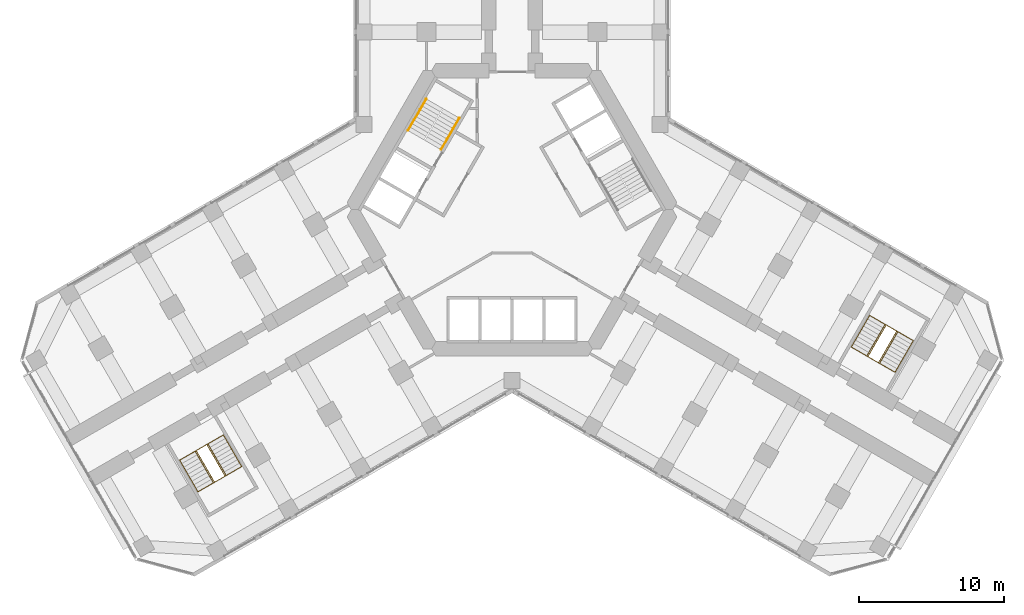
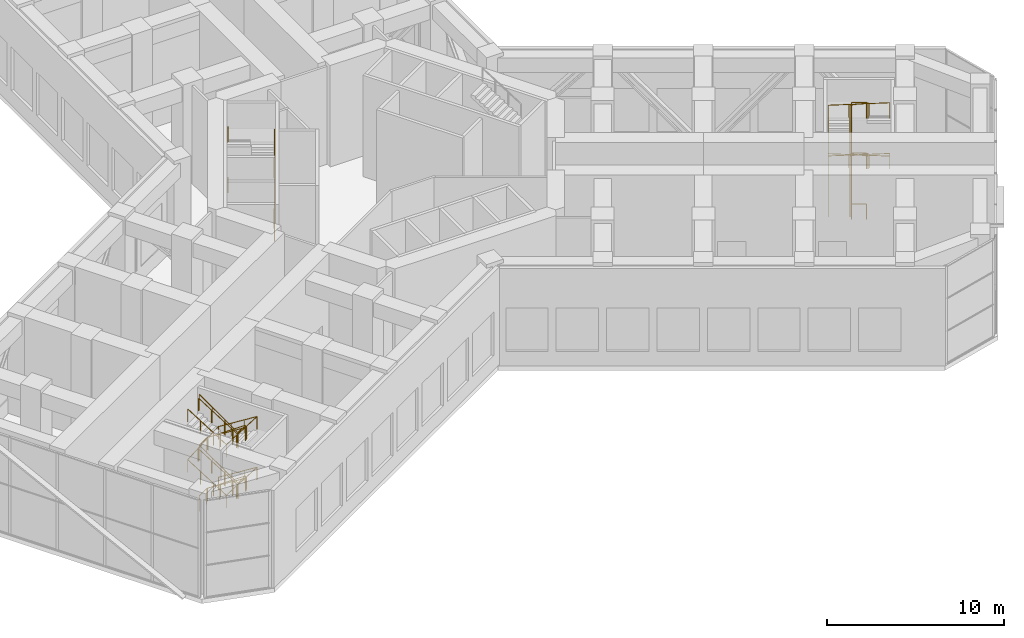
# One storey, part 16 of 17: 10 railings.
"""IFC4 building model written with IfcOpenShell, lengths in metres."""

from ifc_helpers import new_model, si_unit, direction, frame, origin, origin_2d, place, context, subcontext, project, spatial, circle, extrude, material, type_object, element, save


model = new_model("IFC4")

# Units and contexts
model_context = context("Model", 3, precision=1e-05, world=origin(), true_north=direction((0.0, 1.0)))
body_context = subcontext(model_context, "Body", "Model", "MODEL_VIEW")
ifc_project = project(units=[si_unit("LENGTHUNIT", "METRE"), si_unit("AREAUNIT", "SQUARE_METRE"), si_unit("VOLUMEUNIT", "CUBIC_METRE"), si_unit("PLANEANGLEUNIT", "RADIAN"), si_unit("MASSUNIT", "GRAM", prefix="KILO")], contexts=[model_context])

# Site, building, storey
site_placement = place(None, origin())
site = spatial("IfcSite", under=ifc_project, at=site_placement, CompositionType="ELEMENT")
building_placement = place(site_placement, origin())
building = spatial("IfcBuilding", under=site, at=building_placement, Name="Kosmar Iwan School Tower", CompositionType="ELEMENT")
storey_placement = place(building_placement, frame((0.0, 0.0, 32.39990234375)))
storey = spatial("IfcBuildingStorey", under=building, at=storey_placement, Name="L07", CompositionType="ELEMENT", Elevation=32.39990234375)

# Railings
ifc_material_1 = material(Name="Black steel", Category="steel")
railing_type_1 = type_object("IfcRailingType", Name="Stair handrail 900", PredefinedType="HANDRAIL", material=ifc_material_1)
railing_1_placement = place(storey_placement, frame((-4.89453125, 4.142333984375, 0.175048828125)))
element("IfcRailing", 1, at=railing_1_placement, inside=storey, type_object=railing_type_1, Name="Handrail ST2 flight 1", PredefinedType="HANDRAIL", context=body_context, shape_type="SweptSolid", body=[
    extrude(circle(Radius=0.02392578125, at=origin_2d()), frame((0.0, 0.0, 0.8759765625), z_axis=(0.42400668935, 0.73439174503, 0.529987822708), x_axis=(-0.866022637375, 0.500004791531, 0.0)), (0.0, 0.0, 1.0), 2.9716796875),
    extrude(circle(Radius=0.02099609375, at=origin_2d()), origin(), (0.0, 0.0, 1.0), 0.851806640625),
    extrude(circle(Radius=0.02099609375, at=origin_2d()), frame((0.419921875, 0.7275390625, 0.52490234375)), (0.0, 0.0, 1.0), 0.851806640625),
    extrude(circle(Radius=0.02099609375, at=origin_2d()), frame((0.840087890625, 1.454833984375, 1.050048828125)), (0.0, 0.0, 1.0), 0.851806640625),
    extrude(circle(Radius=0.02099609375, at=origin_2d()), frame((1.260009765625, 2.182373046875, 1.574951171875)), (0.0, 0.0, 1.0), 0.851806640625),
])
railing_2_placement = place(storey_placement, frame((-5.912353515625, 7.6396484375, 1.925048828125)))
element("IfcRailing", 2, at=railing_2_placement, inside=storey, type_object=railing_type_1, Name="Handrail ST2 flight 2", PredefinedType="HANDRAIL", context=body_context, shape_type="SweptSolid", body=[
    extrude(circle(Radius=0.02392578125, at=origin_2d()), frame((0.0, 0.0, 0.8759765625), z_axis=(-0.42400668935, -0.73439174503, 0.529987822708), x_axis=(0.866022637375, -0.500004791531, 0.0)), (0.0, 0.0, 1.0), 2.9716796875),
    extrude(circle(Radius=0.02099609375, at=origin_2d()), origin(), (0.0, 0.0, 1.0), 0.851806640625),
    extrude(circle(Radius=0.02099609375, at=origin_2d()), frame((-0.419921875, -0.7275390625, 0.52490234375)), (0.0, 0.0, 1.0), 0.851806640625),
    extrude(circle(Radius=0.02099609375, at=origin_2d()), frame((-0.840087890625, -1.454833984375, 1.050048828125)), (0.0, 0.0, 1.0), 0.851806640625),
    extrude(circle(Radius=0.02099609375, at=origin_2d()), frame((-1.260009765625, -2.182373046875, 1.574951171875)), (0.0, 0.0, 1.0), 0.851806640625),
])
railing_3_placement = place(storey_placement, frame((-4.89453125, 4.142333984375, 3.675048828125)))
element("IfcRailing", 3, at=railing_3_placement, inside=storey, type_object=railing_type_1, Name="Handrail ST2 flight 3", PredefinedType="HANDRAIL", context=body_context, shape_type="SweptSolid", body=[
    extrude(circle(Radius=0.02392578125, at=origin_2d()), frame((0.0, 0.0, 0.8759765625), z_axis=(0.42400668935, 0.73439174503, 0.529987822708), x_axis=(-0.866022637375, 0.500004791531, 0.0)), (0.0, 0.0, 1.0), 2.9716796875),
    extrude(circle(Radius=0.02099609375, at=origin_2d()), origin(), (0.0, 0.0, 1.0), 0.851806640625),
    extrude(circle(Radius=0.02099609375, at=origin_2d()), frame((0.419921875, 0.7275390625, 0.52490234375)), (0.0, 0.0, 1.0), 0.851806640625),
    extrude(circle(Radius=0.02099609375, at=origin_2d()), frame((0.840087890625, 1.454833984375, 1.050048828125)), (0.0, 0.0, 1.0), 0.851806640625),
    extrude(circle(Radius=0.02099609375, at=origin_2d()), frame((1.260009765625, 2.182373046875, 1.574951171875)), (0.0, 0.0, 1.0), 0.851806640625),
])
railing_4_placement = place(storey_placement, frame((-5.912353515625, 7.6396484375, 5.425048828125)))
element("IfcRailing", 4, at=railing_4_placement, inside=storey, type_object=railing_type_1, Name="Handrail ST2 flight 4", PredefinedType="HANDRAIL", context=body_context, shape_type="SweptSolid", body=[
    extrude(circle(Radius=0.02392578125, at=origin_2d()), frame((0.0, 0.0, 0.8759765625), z_axis=(-0.42400668935, -0.73439174503, 0.529987822708), x_axis=(0.866022637375, -0.500004791531, 0.0)), (0.0, 0.0, 1.0), 2.9716796875),
    extrude(circle(Radius=0.02099609375, at=origin_2d()), origin(), (0.0, 0.0, 1.0), 0.851806640625),
    extrude(circle(Radius=0.02099609375, at=origin_2d()), frame((-0.419921875, -0.7275390625, 0.52490234375)), (0.0, 0.0, 1.0), 0.851806640625),
    extrude(circle(Radius=0.02099609375, at=origin_2d()), frame((-0.840087890625, -1.454833984375, 1.050048828125)), (0.0, 0.0, 1.0), 0.851806640625),
    extrude(circle(Radius=0.02099609375, at=origin_2d()), frame((-1.260009765625, -2.182373046875, 1.574951171875)), (0.0, 0.0, 1.0), 0.851806640625),
])
railing_5_placement = place(storey_placement, frame((-19.9091796875, -15.5361328125, 0.175048828125)))
element("IfcRailing", 5, at=railing_5_placement, inside=storey, type_object=railing_type_1, Name="Handrail stair WS2 L07 wall side", PredefinedType="HANDRAIL", context=body_context, shape_type="SweptSolid", body=[
    extrude(circle(Radius=0.02392578125, at=origin_2d()), frame((0.0, 0.0, 0.8759765625), z_axis=(0.42393930004, -0.734417326174, 0.530006283829), x_axis=(0.866064587494, 0.499932125682, 0.0)), (0.0, 0.0, 1.0), 2.9716796875),
    extrude(circle(Radius=0.02392578125, at=origin_2d()), frame((1.259765625, -2.182373046875, 2.45068359375), z_axis=(-0.864926089001, -0.499378502617, 0.050239144995), x_axis=(0.500009906705, -0.86601968407, 0.0)), (0.0, 0.0, 1.0), 3.484375),
    extrude(circle(Radius=0.02392578125, at=origin_2d()), frame((-1.75390625, -3.92236328125, 2.6259765625), z_axis=(-0.42400668935, 0.73439174503, 0.529987822708), x_axis=(-0.866022637375, -0.500004791531, 0.0)), (0.0, 0.0, 1.0), 2.9716796875),
    extrude(circle(Radius=0.02392578125, at=origin_2d()), frame((-3.013916015625, -1.739990234375, 4.20068359375), z_axis=(0.864943737863, 0.499348239753, 0.050236100449), x_axis=(-0.499979528911, 0.866037222451, 0.0)), (0.0, 0.0, 1.0), 3.484619140625),
    extrude(circle(Radius=0.02392578125, at=origin_2d()), frame((0.0, 0.0, 4.3759765625), z_axis=(0.42393930004, -0.734417326174, 0.530006283829), x_axis=(0.866064587494, 0.499932125682, 0.0)), (0.0, 0.0, 1.0), 2.9716796875),
    extrude(circle(Radius=0.02392578125, at=origin_2d()), frame((1.259765625, -2.182373046875, 5.95068359375), z_axis=(-0.864926089001, -0.499378502617, 0.050239144995), x_axis=(0.500009906705, -0.86601968407, 0.0)), (0.0, 0.0, 1.0), 3.484375),
    extrude(circle(Radius=0.02392578125, at=origin_2d()), frame((-1.75390625, -3.92236328125, 6.1259765625), z_axis=(-0.42400668935, 0.73439174503, 0.529987822708), x_axis=(-0.866022637375, -0.500004791531, 0.0)), (0.0, 0.0, 1.0), 2.9716796875),
    extrude(circle(Radius=0.02099609375, at=origin_2d()), origin(), (0.0, 0.0, 1.0), 0.851806640625),
    extrude(circle(Radius=0.02099609375, at=origin_2d()), frame((0.419921875, -0.7275390625, 0.52490234375)), (0.0, 0.0, 1.0), 0.851806640625),
    extrude(circle(Radius=0.02099609375, at=origin_2d()), frame((0.83984375, -1.454833984375, 1.050048828125)), (0.0, 0.0, 1.0), 0.851806640625),
    extrude(circle(Radius=0.02099609375, at=origin_2d()), frame((1.259765625, -2.182373046875, 1.574951171875)), (0.0, 0.0, 1.0), 0.851806640625),
    extrude(circle(Radius=0.02099609375, at=origin_2d()), frame((0.255126953125, -2.762451171875, 1.63330078125)), (0.0, 0.0, 1.0), 0.851806640625),
    extrude(circle(Radius=0.02099609375, at=origin_2d()), frame((-0.749267578125, -3.34228515625, 1.691650390625)), (0.0, 0.0, 1.0), 0.851806640625),
    extrude(circle(Radius=0.02099609375, at=origin_2d()), frame((-1.75390625, -3.92236328125, 1.75)), (0.0, 0.0, 1.0), 0.851806640625),
    extrude(circle(Radius=0.02099609375, at=origin_2d()), frame((-2.173828125, -3.19482421875, 2.27490234375)), (0.0, 0.0, 1.0), 0.851806640625),
    extrude(circle(Radius=0.02099609375, at=origin_2d()), frame((-2.593994140625, -2.467529296875, 2.800048828125)), (0.0, 0.0, 1.0), 0.851806640625),
    extrude(circle(Radius=0.02099609375, at=origin_2d()), frame((-3.013916015625, -1.739990234375, 3.324951171875)), (0.0, 0.0, 1.0), 0.851806640625),
    extrude(circle(Radius=0.02099609375, at=origin_2d()), frame((-2.00927734375, -1.159912109375, 3.38330078125)), (0.0, 0.0, 1.0), 0.851806640625),
    extrude(circle(Radius=0.02099609375, at=origin_2d()), frame((-1.004638671875, -0.580078125, 3.441650390625)), (0.0, 0.0, 1.0), 0.851806640625),
    extrude(circle(Radius=0.02099609375, at=origin_2d()), frame((0.0, 0.0, 3.5)), (0.0, 0.0, 1.0), 0.851806640625),
    extrude(circle(Radius=0.02099609375, at=origin_2d()), frame((0.419921875, -0.7275390625, 4.02490234375)), (0.0, 0.0, 1.0), 0.851806640625),
    extrude(circle(Radius=0.02099609375, at=origin_2d()), frame((0.83984375, -1.454833984375, 4.550048828125)), (0.0, 0.0, 1.0), 0.851806640625),
    extrude(circle(Radius=0.02099609375, at=origin_2d()), frame((1.259765625, -2.182373046875, 5.074951171875)), (0.0, 0.0, 1.0), 0.851806640625),
    extrude(circle(Radius=0.02099609375, at=origin_2d()), frame((0.255126953125, -2.762451171875, 5.13330078125)), (0.0, 0.0, 1.0), 0.851806640625),
    extrude(circle(Radius=0.02099609375, at=origin_2d()), frame((-0.749267578125, -3.34228515625, 5.191650390625)), (0.0, 0.0, 1.0), 0.851806640625),
    extrude(circle(Radius=0.02099609375, at=origin_2d()), frame((-1.75390625, -3.92236328125, 5.25)), (0.0, 0.0, 1.0), 0.851806640625),
    extrude(circle(Radius=0.02099609375, at=origin_2d()), frame((-2.173828125, -3.19482421875, 5.77490234375)), (0.0, 0.0, 1.0), 0.851806640625),
    extrude(circle(Radius=0.02099609375, at=origin_2d()), frame((-2.593994140625, -2.467529296875, 6.300048828125)), (0.0, 0.0, 1.0), 0.851806640625),
    extrude(circle(Radius=0.02099609375, at=origin_2d()), frame((-3.013916015625, -1.739990234375, 6.824951171875)), (0.0, 0.0, 1.0), 0.851806640625),
])
railing_6_placement = place(storey_placement, frame((-20.974609375, -16.151123046875, 0.175048828125)))
element("IfcRailing", 6, at=railing_6_placement, inside=storey, type_object=railing_type_1, Name="Handrail stair WS2 L07 well side", PredefinedType="HANDRAIL", context=body_context, shape_type="SweptSolid", body=[
    extrude(circle(Radius=0.02392578125, at=origin_2d()), frame((0.0, 0.0, 0.8759765625), z_axis=(0.42400668935, -0.73439174503, 0.529987822708), x_axis=(0.866022637375, 0.500004791531, 0.0)), (0.0, 0.0, 1.0), 2.9716796875),
    extrude(circle(Radius=0.02392578125, at=origin_2d()), frame((1.260009765625, -2.182373046875, 2.45068359375), z_axis=(-0.853531376367, -0.49282118442, 0.169149252862), x_axis=(0.500026340207, -0.866010195725, 0.0)), (0.0, 0.0, 1.0), 1.034912109375),
    extrude(circle(Radius=0.02392578125, at=origin_2d()), frame((0.376708984375, -2.6923828125, 2.6259765625), z_axis=(-0.42400668935, 0.73439174503, 0.529987822708), x_axis=(-0.866022637375, -0.500004791531, 0.0)), (0.0, 0.0, 1.0), 2.9716796875),
    extrude(circle(Radius=0.02392578125, at=origin_2d()), frame((-0.88330078125, -0.510009765625, 4.20068359375), z_axis=(0.853531376367, 0.49282118442, 0.169149252862), x_axis=(-0.500026340207, 0.866010195725, 0.0)), (0.0, 0.0, 1.0), 1.034912109375),
    extrude(circle(Radius=0.02392578125, at=origin_2d()), frame((0.0, 0.0, 4.3759765625), z_axis=(0.42400668935, -0.73439174503, 0.529987822708), x_axis=(0.866022637375, 0.500004791531, 0.0)), (0.0, 0.0, 1.0), 2.9716796875),
    extrude(circle(Radius=0.02392578125, at=origin_2d()), frame((1.260009765625, -2.182373046875, 5.95068359375), z_axis=(-0.853531376367, -0.49282118442, 0.169149252862), x_axis=(0.500026340207, -0.866010195725, 0.0)), (0.0, 0.0, 1.0), 1.034912109375),
    extrude(circle(Radius=0.02392578125, at=origin_2d()), frame((0.376708984375, -2.6923828125, 6.1259765625), z_axis=(-0.42400668935, 0.73439174503, 0.529987822708), x_axis=(-0.866022637375, -0.500004791531, 0.0)), (0.0, 0.0, 1.0), 2.9716796875),
    extrude(circle(Radius=0.02099609375, at=origin_2d()), origin(), (0.0, 0.0, 1.0), 0.851806640625),
    extrude(circle(Radius=0.02099609375, at=origin_2d()), frame((0.419921875, -0.7275390625, 0.52490234375)), (0.0, 0.0, 1.0), 0.851806640625),
    extrude(circle(Radius=0.02099609375, at=origin_2d()), frame((0.840087890625, -1.454833984375, 1.050048828125)), (0.0, 0.0, 1.0), 0.851806640625),
    extrude(circle(Radius=0.02099609375, at=origin_2d()), frame((1.260009765625, -2.182373046875, 1.574951171875)), (0.0, 0.0, 1.0), 0.851806640625),
    extrude(circle(Radius=0.02099609375, at=origin_2d()), frame((0.376708984375, -2.6923828125, 1.75)), (0.0, 0.0, 1.0), 0.851806640625),
    extrude(circle(Radius=0.02099609375, at=origin_2d()), frame((-0.043212890625, -1.96484375, 2.27490234375)), (0.0, 0.0, 1.0), 0.851806640625),
    extrude(circle(Radius=0.02099609375, at=origin_2d()), frame((-0.46337890625, -1.237548828125, 2.800048828125)), (0.0, 0.0, 1.0), 0.851806640625),
    extrude(circle(Radius=0.02099609375, at=origin_2d()), frame((-0.88330078125, -0.510009765625, 3.324951171875)), (0.0, 0.0, 1.0), 0.851806640625),
    extrude(circle(Radius=0.02099609375, at=origin_2d()), frame((0.0, 0.0, 3.5)), (0.0, 0.0, 1.0), 0.851806640625),
    extrude(circle(Radius=0.02099609375, at=origin_2d()), frame((0.419921875, -0.7275390625, 4.02490234375)), (0.0, 0.0, 1.0), 0.851806640625),
    extrude(circle(Radius=0.02099609375, at=origin_2d()), frame((0.840087890625, -1.454833984375, 4.550048828125)), (0.0, 0.0, 1.0), 0.851806640625),
    extrude(circle(Radius=0.02099609375, at=origin_2d()), frame((1.260009765625, -2.182373046875, 5.074951171875)), (0.0, 0.0, 1.0), 0.851806640625),
    extrude(circle(Radius=0.02099609375, at=origin_2d()), frame((0.376708984375, -2.6923828125, 5.25)), (0.0, 0.0, 1.0), 0.851806640625),
    extrude(circle(Radius=0.02099609375, at=origin_2d()), frame((-0.043212890625, -1.96484375, 5.77490234375)), (0.0, 0.0, 1.0), 0.851806640625),
    extrude(circle(Radius=0.02099609375, at=origin_2d()), frame((-0.46337890625, -1.237548828125, 6.300048828125)), (0.0, 0.0, 1.0), 0.851806640625),
    extrude(circle(Radius=0.02099609375, at=origin_2d()), frame((-0.88330078125, -0.510009765625, 6.824951171875)), (0.0, 0.0, 1.0), 0.851806640625),
])
railing_7_placement = place(storey_placement, frame((23.4091796875, -9.473876953125, 0.175048828125)))
element("IfcRailing", 7, at=railing_7_placement, inside=storey, type_object=railing_type_1, Name="Handrail stair WS3 L07 wall side", PredefinedType="HANDRAIL", context=body_context, shape_type="SweptSolid", body=[
    extrude(circle(Radius=0.02392578125, at=origin_2d()), frame((0.0, 0.0, 0.8759765625), z_axis=(0.42400668935, 0.73439174503, 0.529987822708), x_axis=(-0.866022637375, 0.500004791531, 0.0)), (0.0, 0.0, 1.0), 2.9716796875),
    extrude(circle(Radius=0.02392578125, at=origin_2d()), frame((1.260009765625, 2.182373046875, 2.45068359375), z_axis=(0.864943737863, -0.499348239753, 0.050236100449), x_axis=(0.499979528911, 0.866037222451, 0.0)), (0.0, 0.0, 1.0), 3.484619140625),
    extrude(circle(Radius=0.02392578125, at=origin_2d()), frame((4.27392578125, 0.4423828125, 2.6259765625), z_axis=(-0.42400668935, -0.73439174503, 0.529987822708), x_axis=(0.866022637375, -0.500004791531, 0.0)), (0.0, 0.0, 1.0), 2.9716796875),
    extrude(circle(Radius=0.02392578125, at=origin_2d()), frame((3.013916015625, -1.739990234375, 4.20068359375), z_axis=(-0.864943737863, 0.499348239753, 0.050236100449), x_axis=(-0.499979528911, -0.866037222451, 0.0)), (0.0, 0.0, 1.0), 3.484619140625),
    extrude(circle(Radius=0.02392578125, at=origin_2d()), frame((0.0, 0.0, 4.3759765625), z_axis=(0.42400668935, 0.73439174503, 0.529987822708), x_axis=(-0.866022637375, 0.500004791531, 0.0)), (0.0, 0.0, 1.0), 2.9716796875),
    extrude(circle(Radius=0.02392578125, at=origin_2d()), frame((1.260009765625, 2.182373046875, 5.95068359375), z_axis=(0.864943737863, -0.499348239753, 0.050236100449), x_axis=(0.499979528911, 0.866037222451, 0.0)), (0.0, 0.0, 1.0), 3.484619140625),
    extrude(circle(Radius=0.02392578125, at=origin_2d()), frame((4.27392578125, 0.4423828125, 6.1259765625), z_axis=(-0.42400668935, -0.73439174503, 0.529987822708), x_axis=(0.866022637375, -0.500004791531, 0.0)), (0.0, 0.0, 1.0), 2.9716796875),
    extrude(circle(Radius=0.02099609375, at=origin_2d()), origin(), (0.0, 0.0, 1.0), 0.851806640625),
    extrude(circle(Radius=0.02099609375, at=origin_2d()), frame((0.419921875, 0.7275390625, 0.52490234375)), (0.0, 0.0, 1.0), 0.851806640625),
    extrude(circle(Radius=0.02099609375, at=origin_2d()), frame((0.840087890625, 1.454833984375, 1.050048828125)), (0.0, 0.0, 1.0), 0.851806640625),
    extrude(circle(Radius=0.02099609375, at=origin_2d()), frame((1.260009765625, 2.182373046875, 1.574951171875)), (0.0, 0.0, 1.0), 0.851806640625),
    extrude(circle(Radius=0.02099609375, at=origin_2d()), frame((2.2646484375, 1.602294921875, 1.63330078125)), (0.0, 0.0, 1.0), 0.851806640625),
    extrude(circle(Radius=0.02099609375, at=origin_2d()), frame((3.269287109375, 1.0224609375, 1.691650390625)), (0.0, 0.0, 1.0), 0.851806640625),
    extrude(circle(Radius=0.02099609375, at=origin_2d()), frame((4.27392578125, 0.4423828125, 1.75)), (0.0, 0.0, 1.0), 0.851806640625),
    extrude(circle(Radius=0.02099609375, at=origin_2d()), frame((3.85400390625, -0.28515625, 2.27490234375)), (0.0, 0.0, 1.0), 0.851806640625),
    extrude(circle(Radius=0.02099609375, at=origin_2d()), frame((3.433837890625, -1.012451171875, 2.800048828125)), (0.0, 0.0, 1.0), 0.851806640625),
    extrude(circle(Radius=0.02099609375, at=origin_2d()), frame((3.013916015625, -1.739990234375, 3.324951171875)), (0.0, 0.0, 1.0), 0.851806640625),
    extrude(circle(Radius=0.02099609375, at=origin_2d()), frame((2.00927734375, -1.159912109375, 3.38330078125)), (0.0, 0.0, 1.0), 0.851806640625),
    extrude(circle(Radius=0.02099609375, at=origin_2d()), frame((1.004638671875, -0.580078125, 3.441650390625)), (0.0, 0.0, 1.0), 0.851806640625),
    extrude(circle(Radius=0.02099609375, at=origin_2d()), frame((0.0, 0.0, 3.5)), (0.0, 0.0, 1.0), 0.851806640625),
    extrude(circle(Radius=0.02099609375, at=origin_2d()), frame((0.419921875, 0.7275390625, 4.02490234375)), (0.0, 0.0, 1.0), 0.851806640625),
    extrude(circle(Radius=0.02099609375, at=origin_2d()), frame((0.840087890625, 1.454833984375, 4.550048828125)), (0.0, 0.0, 1.0), 0.851806640625),
    extrude(circle(Radius=0.02099609375, at=origin_2d()), frame((1.260009765625, 2.182373046875, 5.074951171875)), (0.0, 0.0, 1.0), 0.851806640625),
    extrude(circle(Radius=0.02099609375, at=origin_2d()), frame((2.2646484375, 1.602294921875, 5.13330078125)), (0.0, 0.0, 1.0), 0.851806640625),
    extrude(circle(Radius=0.02099609375, at=origin_2d()), frame((3.269287109375, 1.0224609375, 5.191650390625)), (0.0, 0.0, 1.0), 0.851806640625),
    extrude(circle(Radius=0.02099609375, at=origin_2d()), frame((4.27392578125, 0.4423828125, 5.25)), (0.0, 0.0, 1.0), 0.851806640625),
    extrude(circle(Radius=0.02099609375, at=origin_2d()), frame((3.85400390625, -0.28515625, 5.77490234375)), (0.0, 0.0, 1.0), 0.851806640625),
    extrude(circle(Radius=0.02099609375, at=origin_2d()), frame((3.433837890625, -1.012451171875, 6.300048828125)), (0.0, 0.0, 1.0), 0.851806640625),
    extrude(circle(Radius=0.02099609375, at=origin_2d()), frame((3.013916015625, -1.739990234375, 6.824951171875)), (0.0, 0.0, 1.0), 0.851806640625),
])
railing_8_placement = place(storey_placement, frame((24.474609375, -10.0888671875, 0.175048828125)))
element("IfcRailing", 8, at=railing_8_placement, inside=storey, type_object=railing_type_1, Name="Handrail stair WS3 L07 well side", PredefinedType="HANDRAIL", context=body_context, shape_type="SweptSolid", body=[
    extrude(circle(Radius=0.02392578125, at=origin_2d()), frame((0.0, 0.0, 0.8759765625), z_axis=(0.42400668935, 0.73439174503, 0.529987822708), x_axis=(-0.866022637375, 0.500004791531, 0.0)), (0.0, 0.0, 1.0), 2.9716796875),
    extrude(circle(Radius=0.02392578125, at=origin_2d()), frame((1.260009765625, 2.182373046875, 2.45068359375), z_axis=(0.853531376367, -0.49282118442, 0.169149252862), x_axis=(0.500026340207, 0.866010195725, 0.0)), (0.0, 0.0, 1.0), 1.034912109375),
    extrude(circle(Radius=0.02392578125, at=origin_2d()), frame((2.143310546875, 1.67236328125, 2.6259765625), z_axis=(-0.42400668935, -0.73439174503, 0.529987822708), x_axis=(0.866022637375, -0.500004791531, 0.0)), (0.0, 0.0, 1.0), 2.9716796875),
    extrude(circle(Radius=0.02392578125, at=origin_2d()), frame((0.88330078125, -0.510009765625, 4.20068359375), z_axis=(-0.853531376367, 0.49282118442, 0.169149252862), x_axis=(-0.500026340207, -0.866010195725, 0.0)), (0.0, 0.0, 1.0), 1.034912109375),
    extrude(circle(Radius=0.02392578125, at=origin_2d()), frame((0.0, 0.0, 4.3759765625), z_axis=(0.42400668935, 0.73439174503, 0.529987822708), x_axis=(-0.866022637375, 0.500004791531, 0.0)), (0.0, 0.0, 1.0), 2.9716796875),
    extrude(circle(Radius=0.02392578125, at=origin_2d()), frame((1.260009765625, 2.182373046875, 5.95068359375), z_axis=(0.853531376367, -0.49282118442, 0.169149252862), x_axis=(0.500026340207, 0.866010195725, 0.0)), (0.0, 0.0, 1.0), 1.034912109375),
    extrude(circle(Radius=0.02392578125, at=origin_2d()), frame((2.143310546875, 1.67236328125, 6.1259765625), z_axis=(-0.42400668935, -0.73439174503, 0.529987822708), x_axis=(0.866022637375, -0.500004791531, 0.0)), (0.0, 0.0, 1.0), 2.9716796875),
    extrude(circle(Radius=0.02099609375, at=origin_2d()), origin(), (0.0, 0.0, 1.0), 0.851806640625),
    extrude(circle(Radius=0.02099609375, at=origin_2d()), frame((0.419921875, 0.7275390625, 0.52490234375)), (0.0, 0.0, 1.0), 0.851806640625),
    extrude(circle(Radius=0.02099609375, at=origin_2d()), frame((0.840087890625, 1.454833984375, 1.050048828125)), (0.0, 0.0, 1.0), 0.851806640625),
    extrude(circle(Radius=0.02099609375, at=origin_2d()), frame((1.260009765625, 2.182373046875, 1.574951171875)), (0.0, 0.0, 1.0), 0.851806640625),
    extrude(circle(Radius=0.02099609375, at=origin_2d()), frame((2.143310546875, 1.67236328125, 1.75)), (0.0, 0.0, 1.0), 0.851806640625),
    extrude(circle(Radius=0.02099609375, at=origin_2d()), frame((1.723388671875, 0.94482421875, 2.27490234375)), (0.0, 0.0, 1.0), 0.851806640625),
    extrude(circle(Radius=0.02099609375, at=origin_2d()), frame((1.30322265625, 0.217529296875, 2.800048828125)), (0.0, 0.0, 1.0), 0.851806640625),
    extrude(circle(Radius=0.02099609375, at=origin_2d()), frame((0.88330078125, -0.510009765625, 3.324951171875)), (0.0, 0.0, 1.0), 0.851806640625),
    extrude(circle(Radius=0.02099609375, at=origin_2d()), frame((0.0, 0.0, 3.5)), (0.0, 0.0, 1.0), 0.851806640625),
    extrude(circle(Radius=0.02099609375, at=origin_2d()), frame((0.419921875, 0.7275390625, 4.02490234375)), (0.0, 0.0, 1.0), 0.851806640625),
    extrude(circle(Radius=0.02099609375, at=origin_2d()), frame((0.840087890625, 1.454833984375, 4.550048828125)), (0.0, 0.0, 1.0), 0.851806640625),
    extrude(circle(Radius=0.02099609375, at=origin_2d()), frame((1.260009765625, 2.182373046875, 5.074951171875)), (0.0, 0.0, 1.0), 0.851806640625),
    extrude(circle(Radius=0.02099609375, at=origin_2d()), frame((2.143310546875, 1.67236328125, 5.25)), (0.0, 0.0, 1.0), 0.851806640625),
    extrude(circle(Radius=0.02099609375, at=origin_2d()), frame((1.723388671875, 0.94482421875, 5.77490234375)), (0.0, 0.0, 1.0), 0.851806640625),
    extrude(circle(Radius=0.02099609375, at=origin_2d()), frame((1.30322265625, 0.217529296875, 6.300048828125)), (0.0, 0.0, 1.0), 0.851806640625),
    extrude(circle(Radius=0.02099609375, at=origin_2d()), frame((0.88330078125, -0.510009765625, 6.824951171875)), (0.0, 0.0, 1.0), 0.851806640625),
])
ifc_material_2 = material(Name="Black steel", Category="steel")
railing_type_2 = type_object("IfcRailingType", Name="Stair well guard 1100", PredefinedType="GUARDRAIL", material=ifc_material_2)
railing_9_placement = place(storey_placement, frame((-21.780029296875, -16.6162109375, 0.0)))
element("IfcRailing", 9, at=railing_9_placement, inside=storey, type_object=railing_type_2, Name="Stair WS2 L07 well guard", PredefinedType="GUARDRAIL", context=body_context, shape_type="SweptSolid", body=[
    extrude(circle(Radius=0.02392578125, at=origin_2d()), frame((0.0, 0.0, 1.076171875), z_axis=(0.865962960534, 0.500108139288, 0.0), x_axis=(-0.500108139288, 0.865962960534, 0.0)), (0.0, 0.0, 1.0), 0.840087890625),
    extrude(circle(Radius=0.02392578125, at=origin_2d()), frame((0.7275390625, 0.420166015625, 1.076171875), z_axis=(0.410688673594, -0.711324559825, 0.570396514691), x_axis=(0.866022637375, 0.500004791531, 0.0)), (0.0, 0.0, 1.0), 3.068115234375),
    extrude(circle(Radius=0.02392578125, at=origin_2d()), frame((1.987548828125, -1.76220703125, 2.826171875), z_axis=(-0.865962960534, -0.500108139288, 0.0), x_axis=(0.500108139288, -0.865962960534, 0.0)), (0.0, 0.0, 1.0), 0.840087890625),
    extrude(circle(Radius=0.02392578125, at=origin_2d()), frame((1.260009765625, -2.182373046875, 2.826171875), z_axis=(-0.410688673594, 0.711324559825, 0.570396514691), x_axis=(-0.866022637375, -0.500004791531, 0.0)), (0.0, 0.0, 1.0), 3.068115234375),
    extrude(circle(Radius=0.02392578125, at=origin_2d()), frame((0.0, 0.0, 4.576171875), z_axis=(0.865962960534, 0.500108139288, 0.0), x_axis=(-0.500108139288, 0.865962960534, 0.0)), (0.0, 0.0, 1.0), 0.840087890625),
    extrude(circle(Radius=0.02392578125, at=origin_2d()), frame((0.7275390625, 0.420166015625, 4.576171875), z_axis=(0.410688673594, -0.711324559825, 0.570396514691), x_axis=(0.866022637375, 0.500004791531, 0.0)), (0.0, 0.0, 1.0), 3.068115234375),
    extrude(circle(Radius=0.02392578125, at=origin_2d()), frame((1.987548828125, -1.76220703125, 6.326171875), z_axis=(-0.865962960534, -0.500108139288, 0.0), x_axis=(0.500108139288, -0.865962960534, 0.0)), (0.0, 0.0, 1.0), 0.840087890625),
    extrude(circle(Radius=0.02392578125, at=origin_2d()), frame((1.260009765625, -2.182373046875, 6.326171875), z_axis=(-0.410688673594, 0.711324559825, 0.570396514691), x_axis=(-0.866022637375, -0.500004791531, 0.0)), (0.0, 0.0, 1.0), 3.068115234375),
    extrude(circle(Radius=0.02099609375, at=origin_2d()), origin(), (0.0, 0.0, 1.0), 1.052001953125),
    extrude(circle(Radius=0.02099609375, at=origin_2d()), frame((0.7275390625, 0.420166015625, 0.0)), (0.0, 0.0, 1.0), 1.052001953125),
    extrude(circle(Radius=0.02099609375, at=origin_2d()), frame((1.1474609375, -0.307373046875, 0.583251953125)), (0.0, 0.0, 1.0), 1.052001953125),
    extrude(circle(Radius=0.02099609375, at=origin_2d()), frame((1.567626953125, -1.03466796875, 1.166748046875)), (0.0, 0.0, 1.0), 1.052001953125),
    extrude(circle(Radius=0.02099609375, at=origin_2d()), frame((1.987548828125, -1.76220703125, 1.75)), (0.0, 0.0, 1.0), 1.052001953125),
    extrude(circle(Radius=0.02099609375, at=origin_2d()), frame((1.260009765625, -2.182373046875, 1.75)), (0.0, 0.0, 1.0), 1.052001953125),
    extrude(circle(Radius=0.02099609375, at=origin_2d()), frame((0.840087890625, -1.454833984375, 2.333251953125)), (0.0, 0.0, 1.0), 1.052001953125),
    extrude(circle(Radius=0.02099609375, at=origin_2d()), frame((0.419921875, -0.7275390625, 2.916748046875)), (0.0, 0.0, 1.0), 1.052001953125),
    extrude(circle(Radius=0.02099609375, at=origin_2d()), frame((0.0, 0.0, 3.5)), (0.0, 0.0, 1.0), 1.052001953125),
    extrude(circle(Radius=0.02099609375, at=origin_2d()), frame((0.7275390625, 0.420166015625, 3.5)), (0.0, 0.0, 1.0), 1.052001953125),
    extrude(circle(Radius=0.02099609375, at=origin_2d()), frame((1.1474609375, -0.307373046875, 4.083251953125)), (0.0, 0.0, 1.0), 1.052001953125),
    extrude(circle(Radius=0.02099609375, at=origin_2d()), frame((1.567626953125, -1.03466796875, 4.666748046875)), (0.0, 0.0, 1.0), 1.052001953125),
    extrude(circle(Radius=0.02099609375, at=origin_2d()), frame((1.987548828125, -1.76220703125, 5.25)), (0.0, 0.0, 1.0), 1.052001953125),
    extrude(circle(Radius=0.02099609375, at=origin_2d()), frame((1.260009765625, -2.182373046875, 5.25)), (0.0, 0.0, 1.0), 1.052001953125),
    extrude(circle(Radius=0.02099609375, at=origin_2d()), frame((0.840087890625, -1.454833984375, 5.833251953125)), (0.0, 0.0, 1.0), 1.052001953125),
    extrude(circle(Radius=0.02099609375, at=origin_2d()), frame((0.419921875, -0.7275390625, 6.416748046875)), (0.0, 0.0, 1.0), 1.052001953125),
    extrude(circle(Radius=0.02099609375, at=origin_2d()), frame((0.0, 0.0, 7.0)), (0.0, 0.0, 1.0), 1.052001953125),
])
railing_10_placement = place(storey_placement, frame((25.280029296875, -10.553955078125, 0.0)))
element("IfcRailing", 10, at=railing_10_placement, inside=storey, type_object=railing_type_2, Name="Stair WS3 L07 well guard", PredefinedType="GUARDRAIL", context=body_context, shape_type="SweptSolid", body=[
    extrude(circle(Radius=0.02392578125, at=origin_2d()), frame((0.0, 0.0, 1.076171875), z_axis=(-0.865962960534, 0.500108139288, 0.0), x_axis=(-0.500108139288, -0.865962960534, 0.0)), (0.0, 0.0, 1.0), 0.840087890625),
    extrude(circle(Radius=0.02392578125, at=origin_2d()), frame((-0.7275390625, 0.420166015625, 1.076171875), z_axis=(0.410688673594, 0.711324559825, 0.570396514691), x_axis=(-0.866022637375, 0.500004791531, 0.0)), (0.0, 0.0, 1.0), 3.068115234375),
    extrude(circle(Radius=0.02392578125, at=origin_2d()), frame((0.532470703125, 2.6025390625, 2.826171875), z_axis=(0.865890253765, -0.500234013672, 0.0), x_axis=(0.500234013672, 0.865890253765, 0.0)), (0.0, 0.0, 1.0), 0.83984375),
    extrude(circle(Radius=0.02392578125, at=origin_2d()), frame((1.259765625, 2.182373046875, 2.826171875), z_axis=(-0.410622516545, -0.71134780531, 0.570415154767), x_axis=(0.866064587494, -0.499932125682, 0.0)), (0.0, 0.0, 1.0), 3.06787109375),
    extrude(circle(Radius=0.02392578125, at=origin_2d()), frame((0.0, 0.0, 4.576171875), z_axis=(-0.865962960534, 0.500108139288, 0.0), x_axis=(-0.500108139288, -0.865962960534, 0.0)), (0.0, 0.0, 1.0), 0.840087890625),
    extrude(circle(Radius=0.02392578125, at=origin_2d()), frame((-0.7275390625, 0.420166015625, 4.576171875), z_axis=(0.410688673594, 0.711324559825, 0.570396514691), x_axis=(-0.866022637375, 0.500004791531, 0.0)), (0.0, 0.0, 1.0), 3.068115234375),
    extrude(circle(Radius=0.02392578125, at=origin_2d()), frame((0.532470703125, 2.6025390625, 6.326171875), z_axis=(0.865890253765, -0.500234013672, 0.0), x_axis=(0.500234013672, 0.865890253765, 0.0)), (0.0, 0.0, 1.0), 0.83984375),
    extrude(circle(Radius=0.02392578125, at=origin_2d()), frame((1.259765625, 2.182373046875, 6.326171875), z_axis=(-0.410622516545, -0.71134780531, 0.570415154767), x_axis=(0.866064587494, -0.499932125682, 0.0)), (0.0, 0.0, 1.0), 3.06787109375),
    extrude(circle(Radius=0.02099609375, at=origin_2d()), origin(), (0.0, 0.0, 1.0), 1.052001953125),
    extrude(circle(Radius=0.02099609375, at=origin_2d()), frame((-0.7275390625, 0.420166015625, 0.0)), (0.0, 0.0, 1.0), 1.052001953125),
    extrude(circle(Radius=0.02099609375, at=origin_2d()), frame((-0.3076171875, 1.147705078125, 0.583251953125)), (0.0, 0.0, 1.0), 1.052001953125),
    extrude(circle(Radius=0.02099609375, at=origin_2d()), frame((0.112548828125, 1.875, 1.166748046875)), (0.0, 0.0, 1.0), 1.052001953125),
    extrude(circle(Radius=0.02099609375, at=origin_2d()), frame((0.532470703125, 2.6025390625, 1.75)), (0.0, 0.0, 1.0), 1.052001953125),
    extrude(circle(Radius=0.02099609375, at=origin_2d()), frame((1.259765625, 2.182373046875, 1.75)), (0.0, 0.0, 1.0), 1.052001953125),
    extrude(circle(Radius=0.02099609375, at=origin_2d()), frame((0.83984375, 1.454833984375, 2.333251953125)), (0.0, 0.0, 1.0), 1.052001953125),
    extrude(circle(Radius=0.02099609375, at=origin_2d()), frame((0.419921875, 0.7275390625, 2.916748046875)), (0.0, 0.0, 1.0), 1.052001953125),
    extrude(circle(Radius=0.02099609375, at=origin_2d()), frame((0.0, 0.0, 3.5)), (0.0, 0.0, 1.0), 1.052001953125),
    extrude(circle(Radius=0.02099609375, at=origin_2d()), frame((-0.7275390625, 0.420166015625, 3.5)), (0.0, 0.0, 1.0), 1.052001953125),
    extrude(circle(Radius=0.02099609375, at=origin_2d()), frame((-0.3076171875, 1.147705078125, 4.083251953125)), (0.0, 0.0, 1.0), 1.052001953125),
    extrude(circle(Radius=0.02099609375, at=origin_2d()), frame((0.112548828125, 1.875, 4.666748046875)), (0.0, 0.0, 1.0), 1.052001953125),
    extrude(circle(Radius=0.02099609375, at=origin_2d()), frame((0.532470703125, 2.6025390625, 5.25)), (0.0, 0.0, 1.0), 1.052001953125),
    extrude(circle(Radius=0.02099609375, at=origin_2d()), frame((1.259765625, 2.182373046875, 5.25)), (0.0, 0.0, 1.0), 1.052001953125),
    extrude(circle(Radius=0.02099609375, at=origin_2d()), frame((0.83984375, 1.454833984375, 5.833251953125)), (0.0, 0.0, 1.0), 1.052001953125),
    extrude(circle(Radius=0.02099609375, at=origin_2d()), frame((0.419921875, 0.7275390625, 6.416748046875)), (0.0, 0.0, 1.0), 1.052001953125),
    extrude(circle(Radius=0.02099609375, at=origin_2d()), frame((0.0, 0.0, 7.0)), (0.0, 0.0, 1.0), 1.052001953125),
])

save(model, "model.ifc")
